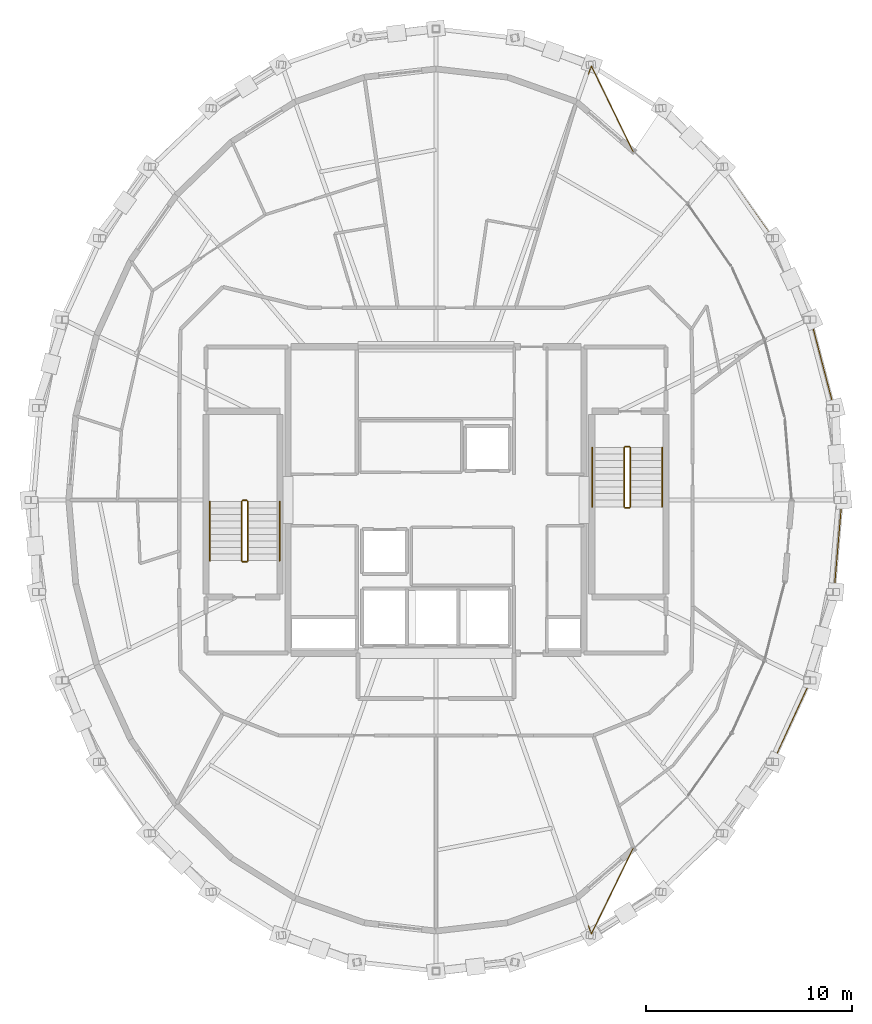
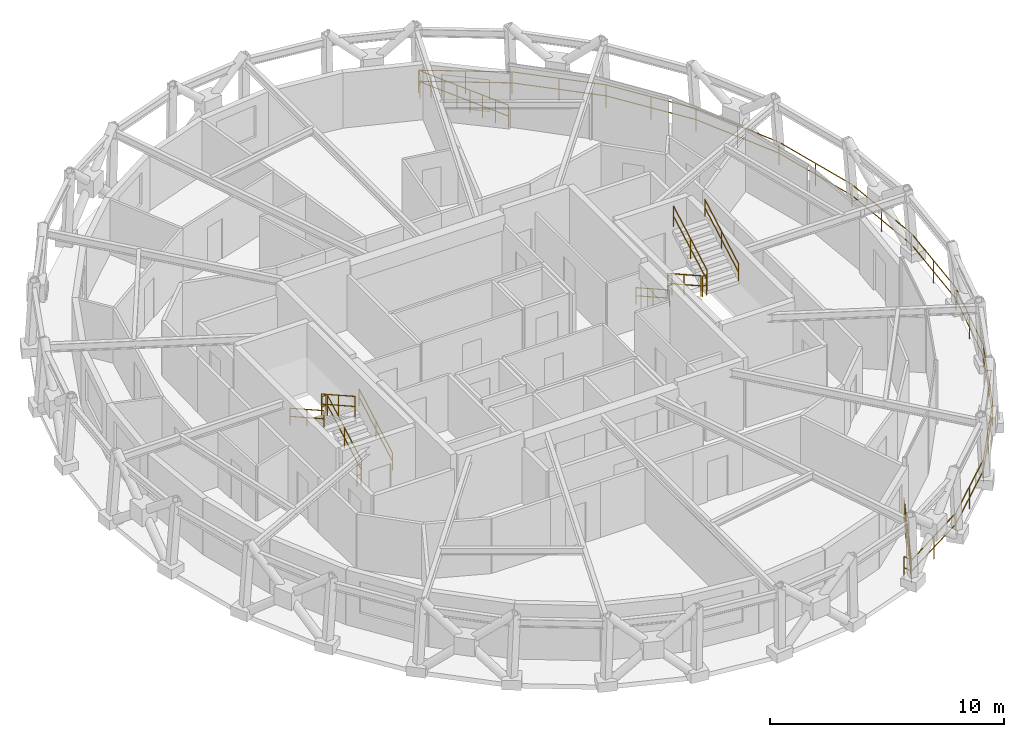
# One storey, part 15 of 15: 15 railings.
"""IFC4 building model written with IfcOpenShell, lengths in metres."""

from ifc_helpers import new_model, si_unit, direction, frame, origin, origin_2d, place, context, subcontext, project, spatial, circle, extrude, material, type_object, element, save


model = new_model("IFC4")

# Units and contexts
model_context = context("Model", 3, precision=1e-05, world=origin(), true_north=direction((0.0, 1.0)))
body_context = subcontext(model_context, "Body", "Model", "MODEL_VIEW")
ifc_project = project(units=[si_unit("LENGTHUNIT", "METRE"), si_unit("AREAUNIT", "SQUARE_METRE"), si_unit("VOLUMEUNIT", "CUBIC_METRE"), si_unit("PLANEANGLEUNIT", "RADIAN"), si_unit("MASSUNIT", "GRAM", prefix="KILO")], contexts=[model_context])

# Site, building, storey
site_placement = place(None, origin())
site = spatial("IfcSite", under=ifc_project, at=site_placement, CompositionType="ELEMENT")
building_placement = place(site_placement, origin())
building = spatial("IfcBuilding", under=site, at=building_placement, Name="Veldorina Hangang Commons", CompositionType="ELEMENT")
storey_placement = place(building_placement, frame((0.0, 0.0, 290.39990234375)))
storey = spatial("IfcBuildingStorey", under=building, at=storey_placement, Name="L76", CompositionType="ELEMENT", Elevation=290.39990234375)

# Railings
ifc_material_1 = material(Name="Glass Laminated Safety Balustrade", Category="glass")
railing_type_1 = type_object("IfcRailingType", Name="RL-BAL-LOGGIA", PredefinedType="BALUSTRADE", material=ifc_material_1)
railing_1_placement = place(storey_placement, frame((39.416748046875, 3.29150390625, 0.0)))
element("IfcRailing", 1, at=railing_1_placement, inside=storey, type_object=railing_type_1, Name="L76 sky-garden loggia end balustrade A", PredefinedType="BALUSTRADE", context=body_context, shape_type="SweptSolid", body=[
    extrude(circle(Radius=0.02392578125, at=origin_2d()), frame((0.0, 0.0, 1.17578125), z_axis=(0.337072605082, -0.941478655575, 0.0), x_axis=(0.941478655575, 0.337072605082, 0.0)), (0.0, 0.0, 1.0), 0.420166015625),
    extrude(circle(Radius=0.02392578125, at=origin_2d()), frame((0.0, 0.0, 0.60009765625), z_axis=(0.337072605082, -0.941478655575, 0.0), x_axis=(0.941478655575, 0.337072605082, 0.0)), (0.0, 0.0, 1.0), 0.420166015625),
    extrude(circle(Radius=0.02392578125, at=origin_2d()), frame((0.1416015625, -0.3955078125, 1.17578125), z_axis=(0.438103456938, 0.898924558024, 0.0), x_axis=(-0.898924558024, 0.438103456938, 0.0)), (0.0, 0.0, 1.0), 4.642578125),
    extrude(circle(Radius=0.02392578125, at=origin_2d()), frame((0.1416015625, -0.3955078125, 0.60009765625), z_axis=(0.438103456938, 0.898924558024, 0.0), x_axis=(-0.898924558024, 0.438103456938, 0.0)), (0.0, 0.0, 1.0), 4.642578125),
    extrude(circle(Radius=0.02099609375, at=origin_2d()), origin(), (0.0, 0.0, 1.0), 1.15185546875),
    extrude(circle(Radius=0.02099609375, at=origin_2d()), frame((0.1416015625, -0.3955078125, 0.0)), (0.0, 0.0, 1.0), 1.15185546875),
    extrude(circle(Radius=0.02099609375, at=origin_2d()), frame((0.43212890625, 0.20068359375, 0.0)), (0.0, 0.0, 1.0), 1.15185546875),
    extrude(circle(Radius=0.02099609375, at=origin_2d()), frame((0.72265625, 0.796875, 0.0)), (0.0, 0.0, 1.0), 1.15185546875),
    extrude(circle(Radius=0.02099609375, at=origin_2d()), frame((1.01318359375, 1.39306640625, 0.0)), (0.0, 0.0, 1.0), 1.15185546875),
    extrude(circle(Radius=0.02099609375, at=origin_2d()), frame((1.303955078125, 1.9892578125, 0.0)), (0.0, 0.0, 1.0), 1.15185546875),
    extrude(circle(Radius=0.02099609375, at=origin_2d()), frame((1.594482421875, 2.58544921875, 0.0)), (0.0, 0.0, 1.0), 1.15185546875),
    extrude(circle(Radius=0.02099609375, at=origin_2d()), frame((1.885009765625, 3.181640625, 0.0)), (0.0, 0.0, 1.0), 1.15185546875),
    extrude(circle(Radius=0.02099609375, at=origin_2d()), frame((2.175537109375, 3.77783203125, 0.0)), (0.0, 0.0, 1.0), 1.15185546875),
])
railing_2_placement = place(storey_placement, frame((39.416748046875, 44.70849609375, 0.0)))
element("IfcRailing", 2, at=railing_2_placement, inside=storey, type_object=railing_type_1, Name="L76 sky-garden loggia end balustrade B", PredefinedType="BALUSTRADE", context=body_context, shape_type="SweptSolid", body=[
    extrude(circle(Radius=0.02392578125, at=origin_2d()), frame((0.0, 0.0, 1.17578125), z_axis=(0.337072605082, 0.941478655575, 0.0), x_axis=(-0.941478655575, 0.337072605082, 0.0)), (0.0, 0.0, 1.0), 0.420166015625),
    extrude(circle(Radius=0.02392578125, at=origin_2d()), frame((0.0, 0.0, 0.60009765625), z_axis=(0.337072605082, 0.941478655575, 0.0), x_axis=(-0.941478655575, 0.337072605082, 0.0)), (0.0, 0.0, 1.0), 0.420166015625),
    extrude(circle(Radius=0.02392578125, at=origin_2d()), frame((0.1416015625, 0.3955078125, 1.17578125), z_axis=(0.438103456938, -0.898924558024, 0.0), x_axis=(0.898924558024, 0.438103456938, 0.0)), (0.0, 0.0, 1.0), 4.642578125),
    extrude(circle(Radius=0.02392578125, at=origin_2d()), frame((0.1416015625, 0.3955078125, 0.60009765625), z_axis=(0.438103456938, -0.898924558024, 0.0), x_axis=(0.898924558024, 0.438103456938, 0.0)), (0.0, 0.0, 1.0), 4.642578125),
    extrude(circle(Radius=0.02099609375, at=origin_2d()), origin(), (0.0, 0.0, 1.0), 1.15185546875),
    extrude(circle(Radius=0.02099609375, at=origin_2d()), frame((0.1416015625, 0.3955078125, 0.0)), (0.0, 0.0, 1.0), 1.15185546875),
    extrude(circle(Radius=0.02099609375, at=origin_2d()), frame((0.43212890625, -0.20068359375, 0.0)), (0.0, 0.0, 1.0), 1.15185546875),
    extrude(circle(Radius=0.02099609375, at=origin_2d()), frame((0.72265625, -0.796875, 0.0)), (0.0, 0.0, 1.0), 1.15185546875),
    extrude(circle(Radius=0.02099609375, at=origin_2d()), frame((1.01318359375, -1.39306640625, 0.0)), (0.0, 0.0, 1.0), 1.15185546875),
    extrude(circle(Radius=0.02099609375, at=origin_2d()), frame((1.303955078125, -1.9892578125, 0.0)), (0.0, 0.0, 1.0), 1.15185546875),
    extrude(circle(Radius=0.02099609375, at=origin_2d()), frame((1.594482421875, -2.58544921875, 0.0)), (0.0, 0.0, 1.0), 1.15185546875),
    extrude(circle(Radius=0.02099609375, at=origin_2d()), frame((1.885009765625, -3.181640625, 0.0)), (0.0, 0.0, 1.0), 1.15185546875),
    extrude(circle(Radius=0.02099609375, at=origin_2d()), frame((2.175537109375, -3.77783203125, 0.0)), (0.0, 0.0, 1.0), 1.15185546875),
])
railing_3_placement = place(storey_placement, frame((39.558349609375, 2.89599609375, 0.0)))
element("IfcRailing", 3, at=railing_3_placement, inside=storey, type_object=railing_type_1, Name="L76 sky-garden loggia outer balustrade", PredefinedType="BALUSTRADE", context=body_context, shape_type="SweptSolid", body=[
    extrude(circle(Radius=0.02392578125, at=origin_2d()), frame((0.0, 0.0, 1.17578125), z_axis=(0.850350672685, 0.526216432149, 0.0), x_axis=(-0.526216432149, 0.850350672685, 0.0)), (0.0, 0.0, 1.0), 4.0146484375),
    extrude(circle(Radius=0.02392578125, at=origin_2d()), frame((0.0, 0.0, 0.60009765625), z_axis=(0.850350672685, 0.526216432149, 0.0), x_axis=(-0.526216432149, 0.850350672685, 0.0)), (0.0, 0.0, 1.0), 4.0146484375),
    extrude(circle(Radius=0.02392578125, at=origin_2d()), frame((3.413818359375, 2.112548828125, 1.17578125), z_axis=(0.724952158003, 0.688799222275, 0.0), x_axis=(-0.688799222275, 0.724952158003, 0.0)), (0.0, 0.0, 1.0), 4.1259765625),
    extrude(circle(Radius=0.02392578125, at=origin_2d()), frame((3.413818359375, 2.112548828125, 0.60009765625), z_axis=(0.724952158003, 0.688799222275, 0.0), x_axis=(-0.688799222275, 0.724952158003, 0.0)), (0.0, 0.0, 1.0), 4.1259765625),
    extrude(circle(Radius=0.02392578125, at=origin_2d()), frame((6.405029296875, 4.95458984375, 1.17578125), z_axis=(0.578263118514, 0.815850332945, 0.0), x_axis=(-0.815850332945, 0.578263118514, 0.0)), (0.0, 0.0, 1.0), 4.243896484375),
    extrude(circle(Radius=0.02392578125, at=origin_2d()), frame((6.405029296875, 4.95458984375, 0.60009765625), z_axis=(0.578263118514, 0.815850332945, 0.0), x_axis=(-0.815850332945, 0.578263118514, 0.0)), (0.0, 0.0, 1.0), 4.243896484375),
    extrude(circle(Radius=0.02392578125, at=origin_2d()), frame((8.859130859375, 8.4169921875, 1.17578125), z_axis=(0.419132926595, 0.907924881168, 0.0), x_axis=(-0.907924881168, 0.419132926595, 0.0)), (0.0, 0.0, 1.0), 4.349365234375),
    extrude(circle(Radius=0.02392578125, at=origin_2d()), frame((8.859130859375, 8.4169921875, 0.60009765625), z_axis=(0.419132926595, 0.907924881168, 0.0), x_axis=(-0.907924881168, 0.419132926595, 0.0)), (0.0, 0.0, 1.0), 4.349365234375),
    extrude(circle(Radius=0.02392578125, at=origin_2d()), frame((10.68212890625, 12.365966796875, 1.17578125), z_axis=(0.253339736665, 0.96737737095, 0.0), x_axis=(-0.96737737095, 0.253339736665, 0.0)), (0.0, 0.0, 1.0), 4.42822265625),
    extrude(circle(Radius=0.02392578125, at=origin_2d()), frame((10.68212890625, 12.365966796875, 0.60009765625), z_axis=(0.253339736665, 0.96737737095, 0.0), x_axis=(-0.96737737095, 0.253339736665, 0.0)), (0.0, 0.0, 1.0), 4.42822265625),
    extrude(circle(Radius=0.02392578125, at=origin_2d()), frame((11.803955078125, 16.649658203125, 1.17578125), z_axis=(0.084758300429, 0.9964015408, 0.0), x_axis=(-0.9964015408, 0.084758300429, 0.0)), (0.0, 0.0, 1.0), 4.470458984375),
    extrude(circle(Radius=0.02392578125, at=origin_2d()), frame((11.803955078125, 16.649658203125, 0.60009765625), z_axis=(0.084758300429, 0.9964015408, 0.0), x_axis=(-0.9964015408, 0.084758300429, 0.0)), (0.0, 0.0, 1.0), 4.470458984375),
    extrude(circle(Radius=0.02392578125, at=origin_2d()), frame((12.182861328125, 21.10400390625, 1.17578125), z_axis=(-0.084758300429, 0.9964015408, 0.0), x_axis=(-0.9964015408, -0.084758300429, 0.0)), (0.0, 0.0, 1.0), 4.470458984375),
    extrude(circle(Radius=0.02392578125, at=origin_2d()), frame((12.182861328125, 21.10400390625, 0.60009765625), z_axis=(-0.084758300429, 0.9964015408, 0.0), x_axis=(-0.9964015408, -0.084758300429, 0.0)), (0.0, 0.0, 1.0), 4.470458984375),
    extrude(circle(Radius=0.02392578125, at=origin_2d()), frame((11.803955078125, 25.558349609375, 1.17578125), z_axis=(-0.253339736665, 0.96737737095, 0.0), x_axis=(-0.96737737095, -0.253339736665, 0.0)), (0.0, 0.0, 1.0), 4.42822265625),
    extrude(circle(Radius=0.02392578125, at=origin_2d()), frame((11.803955078125, 25.558349609375, 0.60009765625), z_axis=(-0.253339736665, 0.96737737095, 0.0), x_axis=(-0.96737737095, -0.253339736665, 0.0)), (0.0, 0.0, 1.0), 4.42822265625),
    extrude(circle(Radius=0.02392578125, at=origin_2d()), frame((10.68212890625, 29.842041015625, 1.17578125), z_axis=(-0.419132926595, 0.907924881168, 0.0), x_axis=(-0.907924881168, -0.419132926595, 0.0)), (0.0, 0.0, 1.0), 4.349365234375),
    extrude(circle(Radius=0.02392578125, at=origin_2d()), frame((10.68212890625, 29.842041015625, 0.60009765625), z_axis=(-0.419132926595, 0.907924881168, 0.0), x_axis=(-0.907924881168, -0.419132926595, 0.0)), (0.0, 0.0, 1.0), 4.349365234375),
    extrude(circle(Radius=0.02392578125, at=origin_2d()), frame((8.859130859375, 33.791015625, 1.17578125), z_axis=(-0.578263118514, 0.815850332945, 0.0), x_axis=(-0.815850332945, -0.578263118514, 0.0)), (0.0, 0.0, 1.0), 4.243896484375),
    extrude(circle(Radius=0.02392578125, at=origin_2d()), frame((8.859130859375, 33.791015625, 0.60009765625), z_axis=(-0.578263118514, 0.815850332945, 0.0), x_axis=(-0.815850332945, -0.578263118514, 0.0)), (0.0, 0.0, 1.0), 4.243896484375),
    extrude(circle(Radius=0.02392578125, at=origin_2d()), frame((6.405029296875, 37.25341796875, 1.17578125), z_axis=(-0.724952158003, 0.688799222275, 0.0), x_axis=(-0.688799222275, -0.724952158003, 0.0)), (0.0, 0.0, 1.0), 4.1259765625),
    extrude(circle(Radius=0.02392578125, at=origin_2d()), frame((6.405029296875, 37.25341796875, 0.60009765625), z_axis=(-0.724952158003, 0.688799222275, 0.0), x_axis=(-0.688799222275, -0.724952158003, 0.0)), (0.0, 0.0, 1.0), 4.1259765625),
    extrude(circle(Radius=0.02392578125, at=origin_2d()), frame((3.413818359375, 40.095458984375, 1.17578125), z_axis=(-0.850350672685, 0.526216432149, 0.0), x_axis=(-0.526216432149, -0.850350672685, 0.0)), (0.0, 0.0, 1.0), 4.0146484375),
    extrude(circle(Radius=0.02392578125, at=origin_2d()), frame((3.413818359375, 40.095458984375, 0.60009765625), z_axis=(-0.850350672685, 0.526216432149, 0.0), x_axis=(-0.526216432149, -0.850350672685, 0.0)), (0.0, 0.0, 1.0), 4.0146484375),
    extrude(circle(Radius=0.02099609375, at=origin_2d()), origin(), (0.0, 0.0, 1.0), 1.15185546875),
    extrude(circle(Radius=0.02099609375, at=origin_2d()), frame((1.70703125, 1.05615234375, 0.0)), (0.0, 0.0, 1.0), 1.15185546875),
    extrude(circle(Radius=0.02099609375, at=origin_2d()), frame((3.413818359375, 2.112548828125, 0.0)), (0.0, 0.0, 1.0), 1.15185546875),
    extrude(circle(Radius=0.02099609375, at=origin_2d()), frame((4.909423828125, 3.53369140625, 0.0)), (0.0, 0.0, 1.0), 1.15185546875),
    extrude(circle(Radius=0.02099609375, at=origin_2d()), frame((6.405029296875, 4.95458984375, 0.0)), (0.0, 0.0, 1.0), 1.15185546875),
    extrude(circle(Radius=0.02099609375, at=origin_2d()), frame((7.632080078125, 6.685791015625, 0.0)), (0.0, 0.0, 1.0), 1.15185546875),
    extrude(circle(Radius=0.02099609375, at=origin_2d()), frame((8.859130859375, 8.4169921875, 0.0)), (0.0, 0.0, 1.0), 1.15185546875),
    extrude(circle(Radius=0.02099609375, at=origin_2d()), frame((9.7705078125, 10.3916015625, 0.0)), (0.0, 0.0, 1.0), 1.15185546875),
    extrude(circle(Radius=0.02099609375, at=origin_2d()), frame((10.68212890625, 12.365966796875, 0.0)), (0.0, 0.0, 1.0), 1.15185546875),
    extrude(circle(Radius=0.02099609375, at=origin_2d()), frame((11.2431640625, 14.5078125, 0.0)), (0.0, 0.0, 1.0), 1.15185546875),
    extrude(circle(Radius=0.02099609375, at=origin_2d()), frame((11.803955078125, 16.649658203125, 0.0)), (0.0, 0.0, 1.0), 1.15185546875),
    extrude(circle(Radius=0.02099609375, at=origin_2d()), frame((11.993408203125, 18.876953125, 0.0)), (0.0, 0.0, 1.0), 1.15185546875),
    extrude(circle(Radius=0.02099609375, at=origin_2d()), frame((12.182861328125, 21.10400390625, 0.0)), (0.0, 0.0, 1.0), 1.15185546875),
    extrude(circle(Radius=0.02099609375, at=origin_2d()), frame((11.993408203125, 23.3310546875, 0.0)), (0.0, 0.0, 1.0), 1.15185546875),
    extrude(circle(Radius=0.02099609375, at=origin_2d()), frame((11.803955078125, 25.558349609375, 0.0)), (0.0, 0.0, 1.0), 1.15185546875),
    extrude(circle(Radius=0.02099609375, at=origin_2d()), frame((11.2431640625, 27.7001953125, 0.0)), (0.0, 0.0, 1.0), 1.15185546875),
    extrude(circle(Radius=0.02099609375, at=origin_2d()), frame((10.68212890625, 29.842041015625, 0.0)), (0.0, 0.0, 1.0), 1.15185546875),
    extrude(circle(Radius=0.02099609375, at=origin_2d()), frame((9.7705078125, 31.81640625, 0.0)), (0.0, 0.0, 1.0), 1.15185546875),
    extrude(circle(Radius=0.02099609375, at=origin_2d()), frame((8.859130859375, 33.791015625, 0.0)), (0.0, 0.0, 1.0), 1.15185546875),
    extrude(circle(Radius=0.02099609375, at=origin_2d()), frame((7.632080078125, 35.522216796875, 0.0)), (0.0, 0.0, 1.0), 1.15185546875),
    extrude(circle(Radius=0.02099609375, at=origin_2d()), frame((6.405029296875, 37.25341796875, 0.0)), (0.0, 0.0, 1.0), 1.15185546875),
    extrude(circle(Radius=0.02099609375, at=origin_2d()), frame((4.909423828125, 38.67431640625, 0.0)), (0.0, 0.0, 1.0), 1.15185546875),
    extrude(circle(Radius=0.02099609375, at=origin_2d()), frame((3.413818359375, 40.095458984375, 0.0)), (0.0, 0.0, 1.0), 1.15185546875),
    extrude(circle(Radius=0.02099609375, at=origin_2d()), frame((1.70703125, 41.15185546875, 0.0)), (0.0, 0.0, 1.0), 1.15185546875),
    extrude(circle(Radius=0.02099609375, at=origin_2d()), frame((0.0, 42.2080078125, 0.0)), (0.0, 0.0, 1.0), 1.15185546875),
])
ifc_material_2 = material(Name="Steel Painted Balustrade", Category="steel")
railing_type_2 = type_object("IfcRailingType", Name="RL-GRD-STAIR", PredefinedType="GUARDRAIL", material=ifc_material_2)
railing_4_placement = place(storey_placement, frame((22.85009765625, 21.050048828125, 0.18017578125)))
element("IfcRailing", 4, at=railing_4_placement, inside=storey, type_object=railing_type_2, Name="L76 ST-1 stair guard 1", PredefinedType="GUARDRAIL", context=body_context, shape_type="SweptSolid", body=[
    extrude(circle(Radius=0.02392578125, at=origin_2d()), frame((0.0, 0.0, 1.076171875), z_axis=(0.0, 0.871583430097, 0.490247207417), x_axis=(-1.0, 0.0, 0.0)), (0.0, 0.0, 1.0), 3.30419921875),
    extrude(circle(Radius=0.02392578125, at=origin_2d()), frame((0.0, 0.0, 0.550048828125), z_axis=(0.0, 0.871583430097, 0.490247207417), x_axis=(-1.0, 0.0, 0.0)), (0.0, 0.0, 1.0), 3.30419921875),
    extrude(circle(Radius=0.02099609375, at=origin_2d()), origin(), (0.0, 0.0, 1.0), 1.052001953125),
    extrude(circle(Radius=0.02099609375, at=origin_2d()), frame((0.0, 1.43994140625, 0.81005859375)), (0.0, 0.0, 1.0), 1.052001953125),
    extrude(circle(Radius=0.02099609375, at=origin_2d()), frame((0.0, 2.8798828125, 1.619873046875)), (0.0, 0.0, 1.0), 1.052001953125),
])
railing_5_placement = place(storey_placement, frame((22.800048828125, 23.97998046875, 1.800048828125)))
element("IfcRailing", 5, at=railing_5_placement, inside=storey, type_object=railing_type_2, Name="L76 ST-1 stair guard 2", PredefinedType="GUARDRAIL", context=body_context, shape_type="SweptSolid", body=[
    extrude(circle(Radius=0.02392578125, at=origin_2d()), frame((0.0, 0.0, 1.076171875), z_axis=(-1.0, 0.0, 0.0), x_axis=(0.0, -1.0, 0.0)), (0.0, 0.0, 1.0), 0.199951171875),
    extrude(circle(Radius=0.02392578125, at=origin_2d()), frame((0.0, 0.0, 0.550048828125), z_axis=(-1.0, 0.0, 0.0), x_axis=(0.0, -1.0, 0.0)), (0.0, 0.0, 1.0), 0.199951171875),
    extrude(circle(Radius=0.02099609375, at=origin_2d()), origin(), (0.0, 0.0, 1.0), 1.052001953125),
    extrude(circle(Radius=0.02099609375, at=origin_2d()), frame((-0.199951171875, 0.0, 0.0)), (0.0, 0.0, 1.0), 1.052001953125),
])
railing_6_placement = place(storey_placement, frame((22.550048828125, 23.929931640625, 1.97998046875)))
element("IfcRailing", 6, at=railing_6_placement, inside=storey, type_object=railing_type_2, Name="L76 ST-1 stair guard 3", PredefinedType="GUARDRAIL", context=body_context, shape_type="SweptSolid", body=[
    extrude(circle(Radius=0.02392578125, at=origin_2d()), frame((0.0, 0.0, 1.076171875), z_axis=(0.0, -0.87155185771, 0.490303333991), x_axis=(1.0, 0.0, 0.0)), (0.0, 0.0, 1.0), 3.30419921875),
    extrude(circle(Radius=0.02392578125, at=origin_2d()), frame((0.0, 0.0, 0.550048828125), z_axis=(0.0, -0.87155185771, 0.490303333991), x_axis=(1.0, 0.0, 0.0)), (0.0, 0.0, 1.0), 3.30419921875),
    extrude(circle(Radius=0.02099609375, at=origin_2d()), origin(), (0.0, 0.0, 1.0), 1.052001953125),
    extrude(circle(Radius=0.02099609375, at=origin_2d()), frame((0.0, -1.43994140625, 0.81005859375)), (0.0, 0.0, 1.0), 1.052001953125),
    extrude(circle(Radius=0.02099609375, at=origin_2d()), frame((0.0, -2.8798828125, 1.6201171875)), (0.0, 0.0, 1.0), 1.052001953125),
])
railing_7_placement = place(storey_placement, frame((22.800048828125, 21.0, 0.0)))
element("IfcRailing", 7, at=railing_7_placement, inside=storey, type_object=railing_type_2, Name="L76 ST-1 stair guard 4", PredefinedType="GUARDRAIL", context=body_context, shape_type="SweptSolid", body=[
    extrude(circle(Radius=0.02392578125, at=origin_2d()), frame((0.0, 0.0, 1.076171875), z_axis=(-1.0, 0.0, 0.0), x_axis=(0.0, -1.0, 0.0)), (0.0, 0.0, 1.0), 0.199951171875),
    extrude(circle(Radius=0.02392578125, at=origin_2d()), frame((0.0, 0.0, 0.550048828125), z_axis=(-1.0, 0.0, 0.0), x_axis=(0.0, -1.0, 0.0)), (0.0, 0.0, 1.0), 0.199951171875),
    extrude(circle(Radius=0.02099609375, at=origin_2d()), origin(), (0.0, 0.0, 1.0), 1.052001953125),
    extrude(circle(Radius=0.02099609375, at=origin_2d()), frame((-0.199951171875, 0.0, 0.0)), (0.0, 0.0, 1.0), 1.052001953125),
])
railing_8_placement = place(storey_placement, frame((41.14990234375, 26.550048828125, 0.18017578125)))
element("IfcRailing", 8, at=railing_8_placement, inside=storey, type_object=railing_type_2, Name="L76 ST-2 stair guard 1", PredefinedType="GUARDRAIL", context=body_context, shape_type="SweptSolid", body=[
    extrude(circle(Radius=0.02392578125, at=origin_2d()), frame((0.0, 0.0, 1.076171875), z_axis=(0.0, -0.871601186807, 0.490215637405), x_axis=(1.0, 0.0, 0.0)), (0.0, 0.0, 1.0), 3.304443359375),
    extrude(circle(Radius=0.02392578125, at=origin_2d()), frame((0.0, 0.0, 0.550048828125), z_axis=(0.0, -0.871601186807, 0.490215637405), x_axis=(1.0, 0.0, 0.0)), (0.0, 0.0, 1.0), 3.304443359375),
    extrude(circle(Radius=0.02099609375, at=origin_2d()), origin(), (0.0, 0.0, 1.0), 1.052001953125),
    extrude(circle(Radius=0.02099609375, at=origin_2d()), frame((0.0, -1.43994140625, 0.81005859375)), (0.0, 0.0, 1.0), 1.052001953125),
    extrude(circle(Radius=0.02099609375, at=origin_2d()), frame((0.0, -2.880126953125, 1.619873046875)), (0.0, 0.0, 1.0), 1.052001953125),
])
railing_9_placement = place(storey_placement, frame((41.199951171875, 23.6201171875, 1.800048828125)))
element("IfcRailing", 9, at=railing_9_placement, inside=storey, type_object=railing_type_2, Name="L76 ST-2 stair guard 2", PredefinedType="GUARDRAIL", context=body_context, shape_type="SweptSolid", body=[
    extrude(circle(Radius=0.02392578125, at=origin_2d()), frame((0.0, 0.0, 1.076171875), z_axis=(1.0, 0.0, 0.0), x_axis=(0.0, 1.0, 0.0)), (0.0, 0.0, 1.0), 0.199951171875),
    extrude(circle(Radius=0.02392578125, at=origin_2d()), frame((0.0, 0.0, 0.550048828125), z_axis=(1.0, 0.0, 0.0), x_axis=(0.0, 1.0, 0.0)), (0.0, 0.0, 1.0), 0.199951171875),
    extrude(circle(Radius=0.02099609375, at=origin_2d()), origin(), (0.0, 0.0, 1.0), 1.052001953125),
    extrude(circle(Radius=0.02099609375, at=origin_2d()), frame((0.199951171875, 0.0, 0.0)), (0.0, 0.0, 1.0), 1.052001953125),
])
railing_10_placement = place(storey_placement, frame((41.449951171875, 23.669921875, 1.97998046875)))
element("IfcRailing", 10, at=railing_10_placement, inside=storey, type_object=railing_type_2, Name="L76 ST-2 stair guard 3", PredefinedType="GUARDRAIL", context=body_context, shape_type="SweptSolid", body=[
    extrude(circle(Radius=0.02392578125, at=origin_2d()), frame((0.0, 0.0, 1.076171875), z_axis=(0.0, 0.871569617843, 0.490271762652), x_axis=(-1.0, 0.0, 0.0)), (0.0, 0.0, 1.0), 3.304443359375),
    extrude(circle(Radius=0.02392578125, at=origin_2d()), frame((0.0, 0.0, 0.550048828125), z_axis=(0.0, 0.871569617843, 0.490271762652), x_axis=(-1.0, 0.0, 0.0)), (0.0, 0.0, 1.0), 3.304443359375),
    extrude(circle(Radius=0.02099609375, at=origin_2d()), origin(), (0.0, 0.0, 1.0), 1.052001953125),
    extrude(circle(Radius=0.02099609375, at=origin_2d()), frame((0.0, 1.43994140625, 0.81005859375)), (0.0, 0.0, 1.0), 1.052001953125),
    extrude(circle(Radius=0.02099609375, at=origin_2d()), frame((0.0, 2.880126953125, 1.6201171875)), (0.0, 0.0, 1.0), 1.052001953125),
])
railing_11_placement = place(storey_placement, frame((41.199951171875, 26.60009765625, 0.0)))
element("IfcRailing", 11, at=railing_11_placement, inside=storey, type_object=railing_type_2, Name="L76 ST-2 stair guard 4", PredefinedType="GUARDRAIL", context=body_context, shape_type="SweptSolid", body=[
    extrude(circle(Radius=0.02392578125, at=origin_2d()), frame((0.0, 0.0, 1.076171875), z_axis=(1.0, 0.0, 0.0), x_axis=(0.0, 1.0, 0.0)), (0.0, 0.0, 1.0), 0.199951171875),
    extrude(circle(Radius=0.02392578125, at=origin_2d()), frame((0.0, 0.0, 0.550048828125), z_axis=(1.0, 0.0, 0.0), x_axis=(0.0, 1.0, 0.0)), (0.0, 0.0, 1.0), 0.199951171875),
    extrude(circle(Radius=0.02099609375, at=origin_2d()), origin(), (0.0, 0.0, 1.0), 1.052001953125),
    extrude(circle(Radius=0.02099609375, at=origin_2d()), frame((0.199951171875, 0.0, 0.0)), (0.0, 0.0, 1.0), 1.052001953125),
])
ifc_material_3 = material(Name="Stainless Steel Brushed 316", Category="steel")
railing_type_3 = type_object("IfcRailingType", Name="RL-HND-STAIR", PredefinedType="HANDRAIL", material=ifc_material_3)
railing_12_placement = place(storey_placement, frame((24.39990234375, 21.050048828125, 0.18017578125)))
element("IfcRailing", 12, at=railing_12_placement, inside=storey, type_object=railing_type_3, Name="L76 ST-1 stair handrail 1", PredefinedType="HANDRAIL", context=body_context, shape_type="SweptSolid", body=[
    extrude(circle(Radius=0.02392578125, at=origin_2d()), frame((0.0, 0.0, 0.8759765625), z_axis=(0.0, 0.871583430097, 0.490247207417), x_axis=(-1.0, 0.0, 0.0)), (0.0, 0.0, 1.0), 3.30419921875),
    extrude(circle(Radius=0.02392578125, at=origin_2d()), frame((0.0, 0.0, 0.449951171875), z_axis=(0.0, 0.871583430097, 0.490247207417), x_axis=(-1.0, 0.0, 0.0)), (0.0, 0.0, 1.0), 3.30419921875),
    extrude(circle(Radius=0.02099609375, at=origin_2d()), origin(), (0.0, 0.0, 1.0), 0.851806640625),
    extrude(circle(Radius=0.02099609375, at=origin_2d()), frame((0.0, 1.43994140625, 0.81005859375)), (0.0, 0.0, 1.0), 0.851806640625),
    extrude(circle(Radius=0.02099609375, at=origin_2d()), frame((0.0, 2.8798828125, 1.619873046875)), (0.0, 0.0, 1.0), 0.851806640625),
])
railing_13_placement = place(storey_placement, frame((21.0, 23.929931640625, 1.97998046875)))
element("IfcRailing", 13, at=railing_13_placement, inside=storey, type_object=railing_type_3, Name="L76 ST-1 stair handrail 2", PredefinedType="HANDRAIL", context=body_context, shape_type="SweptSolid", body=[
    extrude(circle(Radius=0.02392578125, at=origin_2d()), frame((0.0, 0.0, 0.8759765625), z_axis=(0.0, -0.87155185771, 0.490303333991), x_axis=(1.0, 0.0, 0.0)), (0.0, 0.0, 1.0), 3.30419921875),
    extrude(circle(Radius=0.02392578125, at=origin_2d()), frame((0.0, 0.0, 0.449951171875), z_axis=(0.0, -0.87155185771, 0.490303333991), x_axis=(1.0, 0.0, 0.0)), (0.0, 0.0, 1.0), 3.30419921875),
    extrude(circle(Radius=0.02099609375, at=origin_2d()), origin(), (0.0, 0.0, 1.0), 0.851806640625),
    extrude(circle(Radius=0.02099609375, at=origin_2d()), frame((0.0, -1.43994140625, 0.81005859375)), (0.0, 0.0, 1.0), 0.851806640625),
    extrude(circle(Radius=0.02099609375, at=origin_2d()), frame((0.0, -2.8798828125, 1.6201171875)), (0.0, 0.0, 1.0), 0.851806640625),
])
railing_14_placement = place(storey_placement, frame((39.60009765625, 26.550048828125, 0.18017578125)))
element("IfcRailing", 14, at=railing_14_placement, inside=storey, type_object=railing_type_3, Name="L76 ST-2 stair handrail 1", PredefinedType="HANDRAIL", context=body_context, shape_type="SweptSolid", body=[
    extrude(circle(Radius=0.02392578125, at=origin_2d()), frame((0.0, 0.0, 0.8759765625), z_axis=(0.0, -0.871601186807, 0.490215637405), x_axis=(1.0, 0.0, 0.0)), (0.0, 0.0, 1.0), 3.304443359375),
    extrude(circle(Radius=0.02392578125, at=origin_2d()), frame((0.0, 0.0, 0.449951171875), z_axis=(0.0, -0.871601186807, 0.490215637405), x_axis=(1.0, 0.0, 0.0)), (0.0, 0.0, 1.0), 3.304443359375),
    extrude(circle(Radius=0.02099609375, at=origin_2d()), origin(), (0.0, 0.0, 1.0), 0.851806640625),
    extrude(circle(Radius=0.02099609375, at=origin_2d()), frame((0.0, -1.43994140625, 0.81005859375)), (0.0, 0.0, 1.0), 0.851806640625),
    extrude(circle(Radius=0.02099609375, at=origin_2d()), frame((0.0, -2.880126953125, 1.619873046875)), (0.0, 0.0, 1.0), 0.851806640625),
])
railing_15_placement = place(storey_placement, frame((43.0, 23.669921875, 1.97998046875)))
element("IfcRailing", 15, at=railing_15_placement, inside=storey, type_object=railing_type_3, Name="L76 ST-2 stair handrail 2", PredefinedType="HANDRAIL", context=body_context, shape_type="SweptSolid", body=[
    extrude(circle(Radius=0.02392578125, at=origin_2d()), frame((0.0, 0.0, 0.8759765625), z_axis=(0.0, 0.871569617843, 0.490271762652), x_axis=(-1.0, 0.0, 0.0)), (0.0, 0.0, 1.0), 3.304443359375),
    extrude(circle(Radius=0.02392578125, at=origin_2d()), frame((0.0, 0.0, 0.449951171875), z_axis=(0.0, 0.871569617843, 0.490271762652), x_axis=(-1.0, 0.0, 0.0)), (0.0, 0.0, 1.0), 3.304443359375),
    extrude(circle(Radius=0.02099609375, at=origin_2d()), origin(), (0.0, 0.0, 1.0), 0.851806640625),
    extrude(circle(Radius=0.02099609375, at=origin_2d()), frame((0.0, 1.43994140625, 0.81005859375)), (0.0, 0.0, 1.0), 0.851806640625),
    extrude(circle(Radius=0.02099609375, at=origin_2d()), frame((0.0, 2.880126953125, 1.6201171875)), (0.0, 0.0, 1.0), 0.851806640625),
])

save(model, "model.ifc")
